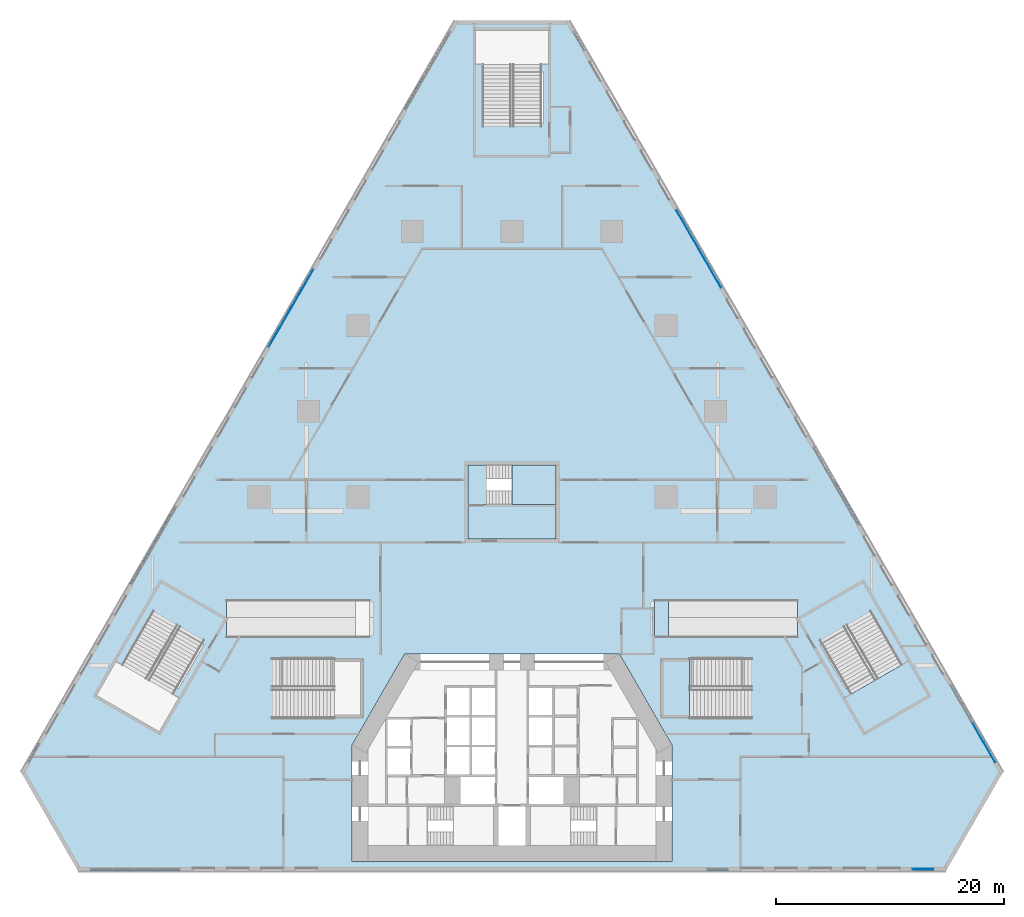
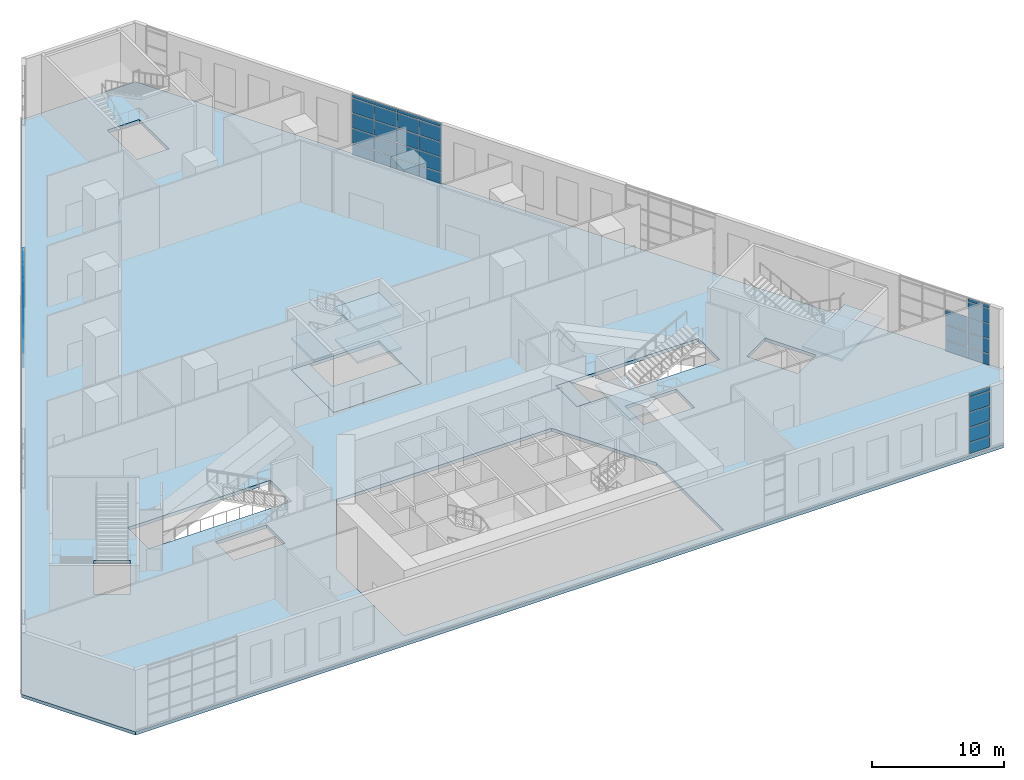
# One storey, part 12 of 27: 54 plates, 7 slabs, 7 elements without a shape of their own.
"""IFC4 building model written with IfcOpenShell, lengths in metres."""

from ifc_helpers import new_model, si_unit, direction, frame, origin, origin_2d, place, context, subcontext, project, spatial, polyline, rectangle, outline, extrude, material, layer, layer_set, type_object, element, aggregate, save


model = new_model("IFC4")

# Units and contexts
model_context = context("Model", 3, precision=1e-05, world=origin(), true_north=direction((0.0, 1.0)))
body_context = subcontext(model_context, "Body", "Model", "MODEL_VIEW")
ifc_project = project(units=[si_unit("LENGTHUNIT", "METRE"), si_unit("AREAUNIT", "SQUARE_METRE"), si_unit("VOLUMEUNIT", "CUBIC_METRE"), si_unit("PLANEANGLEUNIT", "RADIAN"), si_unit("MASSUNIT", "GRAM", prefix="KILO")], contexts=[model_context])

# Site, building, storey
site_placement = place(None, origin())
site = spatial("IfcSite", under=ifc_project, at=site_placement, CompositionType="ELEMENT")
building_placement = place(site_placement, origin())
building = spatial("IfcBuilding", under=site, at=building_placement, Name="Fogline Exchange Tower", CompositionType="ELEMENT")
storey_placement = place(building_placement, frame((0.0, 0.0, 8.0)))
storey = spatial("IfcBuildingStorey", under=building, at=storey_placement, Name="L01", CompositionType="ELEMENT", Elevation=8.0)

# Curtain wall, plates
ifc_material_1 = material(Name="Aluminium and glass", Category="aluminium")
curtain_wall_type = type_object("IfcCurtainWallType", Name="CW3", PredefinedType="NOTDEFINED", material=ifc_material_1)
curtain_wall_1_placement = place(storey_placement, origin())
curtain_wall_1 = element("IfcCurtainWall", 1, at=curtain_wall_1_placement, inside=storey, type_object=curtain_wall_type, Name="CW3 L01 S run 3", PredefinedType="NOTDEFINED")
ifc_material_2 = material(Name="Glass", Category="glass")
ifc_layer_1 = layer(ifc_material_2, 0.028076171875)
ifc_layer_set_1 = layer_set([ifc_layer_1], Name="CW3-P")
plate_type_1 = type_object("IfcPlateType", Name="CW3-P", PredefinedType="CURTAIN_PANEL", material=ifc_layer_set_1)
plate_1_placement = place(storey_placement, frame((36.0, 0.169921875, 0.06005859375), z_axis=(0.0, 0.0, 1.0), x_axis=(1.0, 0.0, 0.0)))
plate_1 = element("IfcPlate", 2, at=plate_1_placement, type_object=plate_type_1, Name="CW3-P01-03 panel 1.1", PredefinedType="CURTAIN_PANEL", context=body_context, shape_type="SweptSolid", body=[
    extrude(rectangle(XDim=1.784912109375, YDim=0.028076171875, at=origin_2d()), origin(), (0.0, 0.0, 1.0), 1.010009765625),
])
plate_2_placement = place(storey_placement, frame((36.0, 0.169921875, 1.1298828125), z_axis=(0.0, 0.0, 1.0), x_axis=(1.0, 0.0, 0.0)))
plate_2 = element("IfcPlate", 3, at=plate_2_placement, type_object=plate_type_1, Name="CW3-P01-03 panel 1.2", PredefinedType="CURTAIN_PANEL", context=body_context, shape_type="SweptSolid", body=[
    extrude(rectangle(XDim=1.784912109375, YDim=0.028076171875, at=origin_2d()), origin(), (0.0, 0.0, 1.0), 1.340087890625),
])
plate_3_placement = place(storey_placement, frame((36.0, 0.169921875, 2.52978515625), z_axis=(0.0, 0.0, 1.0), x_axis=(1.0, 0.0, 0.0)))
plate_3 = element("IfcPlate", 4, at=plate_3_placement, type_object=plate_type_1, Name="CW3-P01-03 panel 1.3", PredefinedType="CURTAIN_PANEL", context=body_context, shape_type="SweptSolid", body=[
    extrude(rectangle(XDim=1.784912109375, YDim=0.028076171875, at=origin_2d()), origin(), (0.0, 0.0, 1.0), 1.340087890625),
])
plate_4_placement = place(storey_placement, frame((36.0, 0.169921875, 3.93017578125), z_axis=(0.0, 0.0, 1.0), x_axis=(1.0, 0.0, 0.0)))
plate_4 = element("IfcPlate", 5, at=plate_4_placement, type_object=plate_type_1, Name="CW3-P01-03 panel 1.4", PredefinedType="CURTAIN_PANEL", context=body_context, shape_type="SweptSolid", body=[
    extrude(rectangle(XDim=1.784912109375, YDim=0.028076171875, at=origin_2d()), origin(), (0.0, 0.0, 1.0), 1.340087890625),
])
plate_5_placement = place(storey_placement, frame((36.0, 0.169921875, 5.330078125), z_axis=(0.0, 0.0, 1.0), x_axis=(1.0, 0.0, 0.0)))
plate_5 = element("IfcPlate", 6, at=plate_5_placement, type_object=plate_type_1, Name="CW3-P01-03 panel 1.5", PredefinedType="CURTAIN_PANEL", context=body_context, shape_type="SweptSolid", body=[
    extrude(rectangle(XDim=1.784912109375, YDim=0.028076171875, at=origin_2d()), origin(), (0.0, 0.0, 1.0), 0.31005859375),
])
aggregate(curtain_wall_1, [plate_1, plate_2, plate_3, plate_4, plate_5])

curtain_wall_2_placement = place(storey_placement, origin())
curtain_wall_2 = element("IfcCurtainWall", 7, at=curtain_wall_2_placement, inside=storey, type_object=curtain_wall_type, Name="CW3 L01 E run 1", PredefinedType="NOTDEFINED")
plate_6_placement = place(storey_placement, frame((41.824951171875, 10.35546875, 0.06005859375), z_axis=(0.0, 0.0, 1.0), x_axis=(-0.500000016959, 0.866025393993, 0.0)))
plate_6 = element("IfcPlate", 8, at=plate_6_placement, type_object=plate_type_1, Name="CW3-P01-04 panel 1.1", PredefinedType="CURTAIN_PANEL", context=body_context, shape_type="SweptSolid", body=[
    extrude(rectangle(XDim=1.896240234375, YDim=0.028076171875, at=origin_2d()), origin(), (0.0, 0.0, 1.0), 1.010009765625),
])
plate_7_placement = place(storey_placement, frame((41.824951171875, 10.35546875, 1.1298828125), z_axis=(0.0, 0.0, 1.0), x_axis=(-0.500000016959, 0.866025393993, 0.0)))
plate_7 = element("IfcPlate", 9, at=plate_7_placement, type_object=plate_type_1, Name="CW3-P01-04 panel 1.2", PredefinedType="CURTAIN_PANEL", context=body_context, shape_type="SweptSolid", body=[
    extrude(rectangle(XDim=1.896240234375, YDim=0.028076171875, at=origin_2d()), origin(), (0.0, 0.0, 1.0), 1.340087890625),
])
plate_8_placement = place(storey_placement, frame((41.824951171875, 10.35546875, 2.52978515625), z_axis=(0.0, 0.0, 1.0), x_axis=(-0.500000016959, 0.866025393993, 0.0)))
plate_8 = element("IfcPlate", 10, at=plate_8_placement, type_object=plate_type_1, Name="CW3-P01-04 panel 1.3", PredefinedType="CURTAIN_PANEL", context=body_context, shape_type="SweptSolid", body=[
    extrude(rectangle(XDim=1.896240234375, YDim=0.028076171875, at=origin_2d()), origin(), (0.0, 0.0, 1.0), 1.340087890625),
])
plate_9_placement = place(storey_placement, frame((41.824951171875, 10.35546875, 3.93017578125), z_axis=(0.0, 0.0, 1.0), x_axis=(-0.500000016959, 0.866025393993, 0.0)))
plate_9 = element("IfcPlate", 11, at=plate_9_placement, type_object=plate_type_1, Name="CW3-P01-04 panel 1.4", PredefinedType="CURTAIN_PANEL", context=body_context, shape_type="SweptSolid", body=[
    extrude(rectangle(XDim=1.896240234375, YDim=0.028076171875, at=origin_2d()), origin(), (0.0, 0.0, 1.0), 1.340087890625),
])
plate_10_placement = place(storey_placement, frame((41.824951171875, 10.35546875, 5.330078125), z_axis=(0.0, 0.0, 1.0), x_axis=(-0.500000016959, 0.866025393993, 0.0)))
plate_10 = element("IfcPlate", 12, at=plate_10_placement, type_object=plate_type_1, Name="CW3-P01-04 panel 1.5", PredefinedType="CURTAIN_PANEL", context=body_context, shape_type="SweptSolid", body=[
    extrude(rectangle(XDim=1.896240234375, YDim=0.028076171875, at=origin_2d()), origin(), (0.0, 0.0, 1.0), 0.31005859375),
])
plate_11_placement = place(storey_placement, frame((40.845703125, 12.0517578125, 0.06005859375), z_axis=(0.0, 0.0, 1.0), x_axis=(-0.500000016959, 0.866025393993, 0.0)))
plate_11 = element("IfcPlate", 13, at=plate_11_placement, type_object=plate_type_1, Name="CW3-P01-04 panel 2.1", PredefinedType="CURTAIN_PANEL", context=body_context, shape_type="SweptSolid", body=[
    extrude(rectangle(XDim=1.921142578125, YDim=0.028076171875, at=origin_2d()), origin(), (0.0, 0.0, 1.0), 1.010009765625),
])
plate_12_placement = place(storey_placement, frame((40.845703125, 12.0517578125, 1.1298828125), z_axis=(0.0, 0.0, 1.0), x_axis=(-0.500000016959, 0.866025393993, 0.0)))
plate_12 = element("IfcPlate", 14, at=plate_12_placement, type_object=plate_type_1, Name="CW3-P01-04 panel 2.2", PredefinedType="CURTAIN_PANEL", context=body_context, shape_type="SweptSolid", body=[
    extrude(rectangle(XDim=1.921142578125, YDim=0.028076171875, at=origin_2d()), origin(), (0.0, 0.0, 1.0), 1.340087890625),
])
plate_13_placement = place(storey_placement, frame((40.845703125, 12.0517578125, 2.52978515625), z_axis=(0.0, 0.0, 1.0), x_axis=(-0.500000016959, 0.866025393993, 0.0)))
plate_13 = element("IfcPlate", 15, at=plate_13_placement, type_object=plate_type_1, Name="CW3-P01-04 panel 2.3", PredefinedType="CURTAIN_PANEL", context=body_context, shape_type="SweptSolid", body=[
    extrude(rectangle(XDim=1.921142578125, YDim=0.028076171875, at=origin_2d()), origin(), (0.0, 0.0, 1.0), 1.340087890625),
])
aggregate(curtain_wall_2, [plate_6, plate_7, plate_8, plate_9, plate_10, plate_11, plate_12, plate_13])

curtain_wall_3_placement = place(storey_placement, origin())
curtain_wall_3 = element("IfcCurtainWall", 16, at=curtain_wall_3_placement, inside=storey, type_object=curtain_wall_type, Name="CW3 L01 E run 3", PredefinedType="NOTDEFINED")
plate_14_placement = place(storey_placement, frame((17.824951171875, 51.9248046875, 0.06005859375), z_axis=(0.0, 0.0, 1.0), x_axis=(-0.500000016959, 0.866025393993, 0.0)))
plate_14 = element("IfcPlate", 17, at=plate_14_placement, type_object=plate_type_1, Name="CW3-P01-06 panel 1.1", PredefinedType="CURTAIN_PANEL", context=body_context, shape_type="SweptSolid", body=[
    extrude(rectangle(XDim=1.896240234375, YDim=0.028076171875, at=origin_2d()), origin(), (0.0, 0.0, 1.0), 1.010009765625),
])
plate_15_placement = place(storey_placement, frame((17.824951171875, 51.9248046875, 1.1298828125), z_axis=(0.0, 0.0, 1.0), x_axis=(-0.500000016959, 0.866025393993, 0.0)))
plate_15 = element("IfcPlate", 18, at=plate_15_placement, type_object=plate_type_1, Name="CW3-P01-06 panel 1.2", PredefinedType="CURTAIN_PANEL", context=body_context, shape_type="SweptSolid", body=[
    extrude(rectangle(XDim=1.896240234375, YDim=0.028076171875, at=origin_2d()), origin(), (0.0, 0.0, 1.0), 1.340087890625),
])
plate_16_placement = place(storey_placement, frame((17.824951171875, 51.9248046875, 2.52978515625), z_axis=(0.0, 0.0, 1.0), x_axis=(-0.500000016959, 0.866025393993, 0.0)))
plate_16 = element("IfcPlate", 19, at=plate_16_placement, type_object=plate_type_1, Name="CW3-P01-06 panel 1.3", PredefinedType="CURTAIN_PANEL", context=body_context, shape_type="SweptSolid", body=[
    extrude(rectangle(XDim=1.896240234375, YDim=0.028076171875, at=origin_2d()), origin(), (0.0, 0.0, 1.0), 1.340087890625),
])
plate_17_placement = place(storey_placement, frame((17.824951171875, 51.9248046875, 3.93017578125), z_axis=(0.0, 0.0, 1.0), x_axis=(-0.500000016959, 0.866025393993, 0.0)))
plate_17 = element("IfcPlate", 20, at=plate_17_placement, type_object=plate_type_1, Name="CW3-P01-06 panel 1.4", PredefinedType="CURTAIN_PANEL", context=body_context, shape_type="SweptSolid", body=[
    extrude(rectangle(XDim=1.896240234375, YDim=0.028076171875, at=origin_2d()), origin(), (0.0, 0.0, 1.0), 1.340087890625),
])
plate_18_placement = place(storey_placement, frame((17.824951171875, 51.9248046875, 5.330078125), z_axis=(0.0, 0.0, 1.0), x_axis=(-0.500000016959, 0.866025393993, 0.0)))
plate_18 = element("IfcPlate", 21, at=plate_18_placement, type_object=plate_type_1, Name="CW3-P01-06 panel 1.5", PredefinedType="CURTAIN_PANEL", context=body_context, shape_type="SweptSolid", body=[
    extrude(rectangle(XDim=1.896240234375, YDim=0.028076171875, at=origin_2d()), origin(), (0.0, 0.0, 1.0), 0.31005859375),
])
plate_19_placement = place(storey_placement, frame((16.845703125, 53.62109375, 0.06005859375), z_axis=(0.0, 0.0, 1.0), x_axis=(-0.500000016959, 0.866025393993, 0.0)))
plate_19 = element("IfcPlate", 22, at=plate_19_placement, type_object=plate_type_1, Name="CW3-P01-06 panel 2.1", PredefinedType="CURTAIN_PANEL", context=body_context, shape_type="SweptSolid", body=[
    extrude(rectangle(XDim=1.921142578125, YDim=0.028076171875, at=origin_2d()), origin(), (0.0, 0.0, 1.0), 1.010009765625),
])
plate_20_placement = place(storey_placement, frame((16.845703125, 53.62109375, 1.1298828125), z_axis=(0.0, 0.0, 1.0), x_axis=(-0.500000016959, 0.866025393993, 0.0)))
plate_20 = element("IfcPlate", 23, at=plate_20_placement, type_object=plate_type_1, Name="CW3-P01-06 panel 2.2", PredefinedType="CURTAIN_PANEL", context=body_context, shape_type="SweptSolid", body=[
    extrude(rectangle(XDim=1.921142578125, YDim=0.028076171875, at=origin_2d()), origin(), (0.0, 0.0, 1.0), 1.340087890625),
])
plate_21_placement = place(storey_placement, frame((16.845703125, 53.62109375, 2.52978515625), z_axis=(0.0, 0.0, 1.0), x_axis=(-0.500000016959, 0.866025393993, 0.0)))
plate_21 = element("IfcPlate", 24, at=plate_21_placement, type_object=plate_type_1, Name="CW3-P01-06 panel 2.3", PredefinedType="CURTAIN_PANEL", context=body_context, shape_type="SweptSolid", body=[
    extrude(rectangle(XDim=1.921142578125, YDim=0.028076171875, at=origin_2d()), origin(), (0.0, 0.0, 1.0), 1.340087890625),
])
plate_22_placement = place(storey_placement, frame((16.845703125, 53.62109375, 3.93017578125), z_axis=(0.0, 0.0, 1.0), x_axis=(-0.500000016959, 0.866025393993, 0.0)))
plate_22 = element("IfcPlate", 25, at=plate_22_placement, type_object=plate_type_1, Name="CW3-P01-06 panel 2.4", PredefinedType="CURTAIN_PANEL", context=body_context, shape_type="SweptSolid", body=[
    extrude(rectangle(XDim=1.921142578125, YDim=0.028076171875, at=origin_2d()), origin(), (0.0, 0.0, 1.0), 1.340087890625),
])
plate_23_placement = place(storey_placement, frame((16.845703125, 53.62109375, 5.330078125), z_axis=(0.0, 0.0, 1.0), x_axis=(-0.500000016959, 0.866025393993, 0.0)))
plate_23 = element("IfcPlate", 26, at=plate_23_placement, type_object=plate_type_1, Name="CW3-P01-06 panel 2.5", PredefinedType="CURTAIN_PANEL", context=body_context, shape_type="SweptSolid", body=[
    extrude(rectangle(XDim=1.921142578125, YDim=0.028076171875, at=origin_2d()), origin(), (0.0, 0.0, 1.0), 0.31005859375),
])
plate_24_placement = place(storey_placement, frame((15.85986328125, 55.328125, 0.06005859375), z_axis=(0.0, 0.0, 1.0), x_axis=(-0.500000016959, 0.866025393993, 0.0)))
plate_24 = element("IfcPlate", 27, at=plate_24_placement, type_object=plate_type_1, Name="CW3-P01-06 panel 3.1", PredefinedType="CURTAIN_PANEL", context=body_context, shape_type="SweptSolid", body=[
    extrude(rectangle(XDim=1.921142578125, YDim=0.028076171875, at=origin_2d()), origin(), (0.0, 0.0, 1.0), 1.010009765625),
])
plate_25_placement = place(storey_placement, frame((15.85986328125, 55.328125, 1.1298828125), z_axis=(0.0, 0.0, 1.0), x_axis=(-0.500000016959, 0.866025393993, 0.0)))
plate_25 = element("IfcPlate", 28, at=plate_25_placement, type_object=plate_type_1, Name="CW3-P01-06 panel 3.2", PredefinedType="CURTAIN_PANEL", context=body_context, shape_type="SweptSolid", body=[
    extrude(rectangle(XDim=1.921142578125, YDim=0.028076171875, at=origin_2d()), origin(), (0.0, 0.0, 1.0), 1.340087890625),
])
plate_26_placement = place(storey_placement, frame((15.85986328125, 55.328125, 2.52978515625), z_axis=(0.0, 0.0, 1.0), x_axis=(-0.500000016959, 0.866025393993, 0.0)))
plate_26 = element("IfcPlate", 29, at=plate_26_placement, type_object=plate_type_1, Name="CW3-P01-06 panel 3.3", PredefinedType="CURTAIN_PANEL", context=body_context, shape_type="SweptSolid", body=[
    extrude(rectangle(XDim=1.921142578125, YDim=0.028076171875, at=origin_2d()), origin(), (0.0, 0.0, 1.0), 1.340087890625),
])
plate_27_placement = place(storey_placement, frame((15.85986328125, 55.328125, 3.93017578125), z_axis=(0.0, 0.0, 1.0), x_axis=(-0.500000016959, 0.866025393993, 0.0)))
plate_27 = element("IfcPlate", 30, at=plate_27_placement, type_object=plate_type_1, Name="CW3-P01-06 panel 3.4", PredefinedType="CURTAIN_PANEL", context=body_context, shape_type="SweptSolid", body=[
    extrude(rectangle(XDim=1.921142578125, YDim=0.028076171875, at=origin_2d()), origin(), (0.0, 0.0, 1.0), 1.340087890625),
])
plate_28_placement = place(storey_placement, frame((15.85986328125, 55.328125, 5.330078125), z_axis=(0.0, 0.0, 1.0), x_axis=(-0.500000016959, 0.866025393993, 0.0)))
plate_28 = element("IfcPlate", 31, at=plate_28_placement, type_object=plate_type_1, Name="CW3-P01-06 panel 3.5", PredefinedType="CURTAIN_PANEL", context=body_context, shape_type="SweptSolid", body=[
    extrude(rectangle(XDim=1.921142578125, YDim=0.028076171875, at=origin_2d()), origin(), (0.0, 0.0, 1.0), 0.31005859375),
])
plate_29_placement = place(storey_placement, frame((14.880615234375, 57.0244140625, 0.06005859375), z_axis=(0.0, 0.0, 1.0), x_axis=(-0.500000016959, 0.866025393993, 0.0)))
plate_29 = element("IfcPlate", 32, at=plate_29_placement, type_object=plate_type_1, Name="CW3-P01-06 panel 4.1", PredefinedType="CURTAIN_PANEL", context=body_context, shape_type="SweptSolid", body=[
    extrude(rectangle(XDim=1.896240234375, YDim=0.028076171875, at=origin_2d()), origin(), (0.0, 0.0, 1.0), 1.010009765625),
])
plate_30_placement = place(storey_placement, frame((14.880615234375, 57.0244140625, 1.1298828125), z_axis=(0.0, 0.0, 1.0), x_axis=(-0.500000016959, 0.866025393993, 0.0)))
plate_30 = element("IfcPlate", 33, at=plate_30_placement, type_object=plate_type_1, Name="CW3-P01-06 panel 4.2", PredefinedType="CURTAIN_PANEL", context=body_context, shape_type="SweptSolid", body=[
    extrude(rectangle(XDim=1.896240234375, YDim=0.028076171875, at=origin_2d()), origin(), (0.0, 0.0, 1.0), 1.340087890625),
])
plate_31_placement = place(storey_placement, frame((14.880615234375, 57.0244140625, 2.52978515625), z_axis=(0.0, 0.0, 1.0), x_axis=(-0.500000016959, 0.866025393993, 0.0)))
plate_31 = element("IfcPlate", 34, at=plate_31_placement, type_object=plate_type_1, Name="CW3-P01-06 panel 4.3", PredefinedType="CURTAIN_PANEL", context=body_context, shape_type="SweptSolid", body=[
    extrude(rectangle(XDim=1.896240234375, YDim=0.028076171875, at=origin_2d()), origin(), (0.0, 0.0, 1.0), 1.340087890625),
])
plate_32_placement = place(storey_placement, frame((14.880615234375, 57.0244140625, 3.93017578125), z_axis=(0.0, 0.0, 1.0), x_axis=(-0.500000016959, 0.866025393993, 0.0)))
plate_32 = element("IfcPlate", 35, at=plate_32_placement, type_object=plate_type_1, Name="CW3-P01-06 panel 4.4", PredefinedType="CURTAIN_PANEL", context=body_context, shape_type="SweptSolid", body=[
    extrude(rectangle(XDim=1.896240234375, YDim=0.028076171875, at=origin_2d()), origin(), (0.0, 0.0, 1.0), 1.340087890625),
])
plate_33_placement = place(storey_placement, frame((14.880615234375, 57.0244140625, 5.330078125), z_axis=(0.0, 0.0, 1.0), x_axis=(-0.500000016959, 0.866025393993, 0.0)))
plate_33 = element("IfcPlate", 36, at=plate_33_placement, type_object=plate_type_1, Name="CW3-P01-06 panel 4.5", PredefinedType="CURTAIN_PANEL", context=body_context, shape_type="SweptSolid", body=[
    extrude(rectangle(XDim=1.896240234375, YDim=0.028076171875, at=origin_2d()), origin(), (0.0, 0.0, 1.0), 0.31005859375),
])
aggregate(curtain_wall_3, [plate_14, plate_15, plate_16, plate_17, plate_18, plate_19, plate_20, plate_21, plate_22, plate_23, plate_24, plate_25, plate_26, plate_27, plate_28, plate_29, plate_30, plate_31, plate_32, plate_33])

curtain_wall_4_placement = place(storey_placement, origin())
curtain_wall_4 = element("IfcCurtainWall", 37, at=curtain_wall_4_placement, inside=storey, type_object=curtain_wall_type, Name="CW3 L01 W run 2", PredefinedType="NOTDEFINED")
plate_34_placement = place(storey_placement, frame((-17.880615234375, 51.828369140625, 0.06005859375), z_axis=(0.0, 0.0, 1.0), x_axis=(-0.500000016959, -0.866025393993, 0.0)))
plate_34 = element("IfcPlate", 38, at=plate_34_placement, type_object=plate_type_1, Name="CW3-P01-09 panel 1.1", PredefinedType="CURTAIN_PANEL", context=body_context, shape_type="SweptSolid", body=[
    extrude(rectangle(XDim=1.896240234375, YDim=0.028076171875, at=origin_2d()), origin(), (0.0, 0.0, 1.0), 1.010009765625),
])
plate_35_placement = place(storey_placement, frame((-17.880615234375, 51.828369140625, 1.1298828125), z_axis=(0.0, 0.0, 1.0), x_axis=(-0.500000016959, -0.866025393993, 0.0)))
plate_35 = element("IfcPlate", 39, at=plate_35_placement, type_object=plate_type_1, Name="CW3-P01-09 panel 1.2", PredefinedType="CURTAIN_PANEL", context=body_context, shape_type="SweptSolid", body=[
    extrude(rectangle(XDim=1.896240234375, YDim=0.028076171875, at=origin_2d()), origin(), (0.0, 0.0, 1.0), 1.340087890625),
])
plate_36_placement = place(storey_placement, frame((-17.880615234375, 51.828369140625, 2.52978515625), z_axis=(0.0, 0.0, 1.0), x_axis=(-0.500000016959, -0.866025393993, 0.0)))
plate_36 = element("IfcPlate", 40, at=plate_36_placement, type_object=plate_type_1, Name="CW3-P01-09 panel 1.3", PredefinedType="CURTAIN_PANEL", context=body_context, shape_type="SweptSolid", body=[
    extrude(rectangle(XDim=1.896240234375, YDim=0.028076171875, at=origin_2d()), origin(), (0.0, 0.0, 1.0), 1.340087890625),
])
plate_37_placement = place(storey_placement, frame((-17.880615234375, 51.828369140625, 3.93017578125), z_axis=(0.0, 0.0, 1.0), x_axis=(-0.500000016959, -0.866025393993, 0.0)))
plate_37 = element("IfcPlate", 41, at=plate_37_placement, type_object=plate_type_1, Name="CW3-P01-09 panel 1.4", PredefinedType="CURTAIN_PANEL", context=body_context, shape_type="SweptSolid", body=[
    extrude(rectangle(XDim=1.896240234375, YDim=0.028076171875, at=origin_2d()), origin(), (0.0, 0.0, 1.0), 1.340087890625),
])
plate_38_placement = place(storey_placement, frame((-17.880615234375, 51.828369140625, 5.330078125), z_axis=(0.0, 0.0, 1.0), x_axis=(-0.500000016959, -0.866025393993, 0.0)))
plate_38 = element("IfcPlate", 42, at=plate_38_placement, type_object=plate_type_1, Name="CW3-P01-09 panel 1.5", PredefinedType="CURTAIN_PANEL", context=body_context, shape_type="SweptSolid", body=[
    extrude(rectangle(XDim=1.896240234375, YDim=0.028076171875, at=origin_2d()), origin(), (0.0, 0.0, 1.0), 0.31005859375),
])
plate_39_placement = place(storey_placement, frame((-18.85986328125, 50.132080078125, 0.06005859375), z_axis=(0.0, 0.0, 1.0), x_axis=(-0.500000016959, -0.866025393993, 0.0)))
plate_39 = element("IfcPlate", 43, at=plate_39_placement, type_object=plate_type_1, Name="CW3-P01-09 panel 2.1", PredefinedType="CURTAIN_PANEL", context=body_context, shape_type="SweptSolid", body=[
    extrude(rectangle(XDim=1.921142578125, YDim=0.028076171875, at=origin_2d()), origin(), (0.0, 0.0, 1.0), 1.010009765625),
])
plate_40_placement = place(storey_placement, frame((-18.85986328125, 50.132080078125, 1.1298828125), z_axis=(0.0, 0.0, 1.0), x_axis=(-0.500000016959, -0.866025393993, 0.0)))
plate_40 = element("IfcPlate", 44, at=plate_40_placement, type_object=plate_type_1, Name="CW3-P01-09 panel 2.2", PredefinedType="CURTAIN_PANEL", context=body_context, shape_type="SweptSolid", body=[
    extrude(rectangle(XDim=1.921142578125, YDim=0.028076171875, at=origin_2d()), origin(), (0.0, 0.0, 1.0), 1.340087890625),
])
plate_41_placement = place(storey_placement, frame((-18.85986328125, 50.132080078125, 2.52978515625), z_axis=(0.0, 0.0, 1.0), x_axis=(-0.500000016959, -0.866025393993, 0.0)))
plate_41 = element("IfcPlate", 45, at=plate_41_placement, type_object=plate_type_1, Name="CW3-P01-09 panel 2.3", PredefinedType="CURTAIN_PANEL", context=body_context, shape_type="SweptSolid", body=[
    extrude(rectangle(XDim=1.921142578125, YDim=0.028076171875, at=origin_2d()), origin(), (0.0, 0.0, 1.0), 1.340087890625),
])
plate_42_placement = place(storey_placement, frame((-18.85986328125, 50.132080078125, 3.93017578125), z_axis=(0.0, 0.0, 1.0), x_axis=(-0.500000016959, -0.866025393993, 0.0)))
plate_42 = element("IfcPlate", 46, at=plate_42_placement, type_object=plate_type_1, Name="CW3-P01-09 panel 2.4", PredefinedType="CURTAIN_PANEL", context=body_context, shape_type="SweptSolid", body=[
    extrude(rectangle(XDim=1.921142578125, YDim=0.028076171875, at=origin_2d()), origin(), (0.0, 0.0, 1.0), 1.340087890625),
])
plate_43_placement = place(storey_placement, frame((-18.85986328125, 50.132080078125, 5.330078125), z_axis=(0.0, 0.0, 1.0), x_axis=(-0.500000016959, -0.866025393993, 0.0)))
plate_43 = element("IfcPlate", 47, at=plate_43_placement, type_object=plate_type_1, Name="CW3-P01-09 panel 2.5", PredefinedType="CURTAIN_PANEL", context=body_context, shape_type="SweptSolid", body=[
    extrude(rectangle(XDim=1.921142578125, YDim=0.028076171875, at=origin_2d()), origin(), (0.0, 0.0, 1.0), 0.31005859375),
])
plate_44_placement = place(storey_placement, frame((-19.845703125, 48.4248046875, 0.06005859375), z_axis=(0.0, 0.0, 1.0), x_axis=(-0.500000016959, -0.866025393993, 0.0)))
plate_44 = element("IfcPlate", 48, at=plate_44_placement, type_object=plate_type_1, Name="CW3-P01-09 panel 3.1", PredefinedType="CURTAIN_PANEL", context=body_context, shape_type="SweptSolid", body=[
    extrude(rectangle(XDim=1.921142578125, YDim=0.028076171875, at=origin_2d()), origin(), (0.0, 0.0, 1.0), 1.010009765625),
])
plate_45_placement = place(storey_placement, frame((-19.845703125, 48.4248046875, 1.1298828125), z_axis=(0.0, 0.0, 1.0), x_axis=(-0.500000016959, -0.866025393993, 0.0)))
plate_45 = element("IfcPlate", 49, at=plate_45_placement, type_object=plate_type_1, Name="CW3-P01-09 panel 3.2", PredefinedType="CURTAIN_PANEL", context=body_context, shape_type="SweptSolid", body=[
    extrude(rectangle(XDim=1.921142578125, YDim=0.028076171875, at=origin_2d()), origin(), (0.0, 0.0, 1.0), 1.340087890625),
])
plate_46_placement = place(storey_placement, frame((-19.845703125, 48.4248046875, 2.52978515625), z_axis=(0.0, 0.0, 1.0), x_axis=(-0.500000016959, -0.866025393993, 0.0)))
plate_46 = element("IfcPlate", 50, at=plate_46_placement, type_object=plate_type_1, Name="CW3-P01-09 panel 3.3", PredefinedType="CURTAIN_PANEL", context=body_context, shape_type="SweptSolid", body=[
    extrude(rectangle(XDim=1.921142578125, YDim=0.028076171875, at=origin_2d()), origin(), (0.0, 0.0, 1.0), 1.340087890625),
])
plate_47_placement = place(storey_placement, frame((-19.845703125, 48.4248046875, 3.93017578125), z_axis=(0.0, 0.0, 1.0), x_axis=(-0.500000016959, -0.866025393993, 0.0)))
plate_47 = element("IfcPlate", 51, at=plate_47_placement, type_object=plate_type_1, Name="CW3-P01-09 panel 3.4", PredefinedType="CURTAIN_PANEL", context=body_context, shape_type="SweptSolid", body=[
    extrude(rectangle(XDim=1.921142578125, YDim=0.028076171875, at=origin_2d()), origin(), (0.0, 0.0, 1.0), 1.340087890625),
])
plate_48_placement = place(storey_placement, frame((-19.845703125, 48.4248046875, 5.330078125), z_axis=(0.0, 0.0, 1.0), x_axis=(-0.500000016959, -0.866025393993, 0.0)))
plate_48 = element("IfcPlate", 52, at=plate_48_placement, type_object=plate_type_1, Name="CW3-P01-09 panel 3.5", PredefinedType="CURTAIN_PANEL", context=body_context, shape_type="SweptSolid", body=[
    extrude(rectangle(XDim=1.921142578125, YDim=0.028076171875, at=origin_2d()), origin(), (0.0, 0.0, 1.0), 0.31005859375),
])
plate_49_placement = place(storey_placement, frame((-20.824951171875, 46.728515625, 0.06005859375), z_axis=(0.0, 0.0, 1.0), x_axis=(-0.500000016959, -0.866025393993, 0.0)))
plate_49 = element("IfcPlate", 53, at=plate_49_placement, type_object=plate_type_1, Name="CW3-P01-09 panel 4.1", PredefinedType="CURTAIN_PANEL", context=body_context, shape_type="SweptSolid", body=[
    extrude(rectangle(XDim=1.896240234375, YDim=0.028076171875, at=origin_2d()), origin(), (0.0, 0.0, 1.0), 1.010009765625),
])
plate_50_placement = place(storey_placement, frame((-20.824951171875, 46.728515625, 1.1298828125), z_axis=(0.0, 0.0, 1.0), x_axis=(-0.500000016959, -0.866025393993, 0.0)))
plate_50 = element("IfcPlate", 54, at=plate_50_placement, type_object=plate_type_1, Name="CW3-P01-09 panel 4.2", PredefinedType="CURTAIN_PANEL", context=body_context, shape_type="SweptSolid", body=[
    extrude(rectangle(XDim=1.896240234375, YDim=0.028076171875, at=origin_2d()), origin(), (0.0, 0.0, 1.0), 1.340087890625),
])
plate_51_placement = place(storey_placement, frame((-20.824951171875, 46.728515625, 2.52978515625), z_axis=(0.0, 0.0, 1.0), x_axis=(-0.500000016959, -0.866025393993, 0.0)))
plate_51 = element("IfcPlate", 55, at=plate_51_placement, type_object=plate_type_1, Name="CW3-P01-09 panel 4.3", PredefinedType="CURTAIN_PANEL", context=body_context, shape_type="SweptSolid", body=[
    extrude(rectangle(XDim=1.896240234375, YDim=0.028076171875, at=origin_2d()), origin(), (0.0, 0.0, 1.0), 1.340087890625),
])
plate_52_placement = place(storey_placement, frame((-20.824951171875, 46.728515625, 3.93017578125), z_axis=(0.0, 0.0, 1.0), x_axis=(-0.500000016959, -0.866025393993, 0.0)))
plate_52 = element("IfcPlate", 56, at=plate_52_placement, type_object=plate_type_1, Name="CW3-P01-09 panel 4.4", PredefinedType="CURTAIN_PANEL", context=body_context, shape_type="SweptSolid", body=[
    extrude(rectangle(XDim=1.896240234375, YDim=0.028076171875, at=origin_2d()), origin(), (0.0, 0.0, 1.0), 1.340087890625),
])
plate_53_placement = place(storey_placement, frame((-20.824951171875, 46.728515625, 5.330078125), z_axis=(0.0, 0.0, 1.0), x_axis=(-0.500000016959, -0.866025393993, 0.0)))
plate_53 = element("IfcPlate", 57, at=plate_53_placement, type_object=plate_type_1, Name="CW3-P01-09 panel 4.5", PredefinedType="CURTAIN_PANEL", context=body_context, shape_type="SweptSolid", body=[
    extrude(rectangle(XDim=1.896240234375, YDim=0.028076171875, at=origin_2d()), origin(), (0.0, 0.0, 1.0), 0.31005859375),
])
aggregate(curtain_wall_4, [plate_34, plate_35, plate_36, plate_37, plate_38, plate_39, plate_40, plate_41, plate_42, plate_43, plate_44, plate_45, plate_46, plate_47, plate_48, plate_49, plate_50, plate_51, plate_52, plate_53])

# Plate
ifc_material_3 = material(Name="Aluminium", Category="aluminium")
ifc_layer_2 = layer(ifc_material_3, 0.050048828125)
ifc_layer_set_2 = layer_set([ifc_layer_2], Name="EP1")
plate_type_2 = type_object("IfcPlateType", Name="EP1", PredefinedType="SHEET", material=ifc_layer_set_2)
plate_54_placement = place(storey_placement, frame((0.0, 0.0, -0.050048828125)))
element("IfcPlate", 58, at=plate_54_placement, inside=storey, type_object=plate_type_2, Name="Escalator landing plate", PredefinedType="SHEET", context=body_context, shape_type="SweptSolid", body=[
    extrude(outline(polyline([(12.5, 20.5), (13.699951171875, 20.5), (13.699951171875, 23.699951171875), (12.5, 23.699951171875), (12.5, 20.5)])), origin(), (0.0, 0.0, 1.0), 0.050048828125),
])

# Stair, slab
ifc_material_4 = material(Name="Concrete C40", Category="concrete")
stair_type_1 = type_object("IfcStairType", Name="PSF0-36-1667", PredefinedType="HALF_TURN_STAIR", material=ifc_material_4)
stair_1_placement = place(storey_placement, origin())
stair_1 = element("IfcStair", 59, at=stair_1_placement, inside=storey, type_object=stair_type_1, Name="Stair ST5", PredefinedType="HALF_TURN_STAIR")
ifc_layer_3 = layer(ifc_material_4, 0.199951171875)
ifc_layer_set_3 = layer_set([ifc_layer_3], Name="PSL1")
slab_type_1 = type_object("IfcSlabType", Name="PSL1", PredefinedType="LANDING", material=ifc_layer_set_3)
slab_1_placement = place(storey_placement, frame((0.0, 0.0, 2.800048828125)))
slab_1 = element("IfcSlab", 60, at=slab_1_placement, type_object=slab_type_1, Name="ST5 landing 1", PredefinedType="LANDING", context=body_context, shape_type="SweptSolid", body=[
    extrude(outline(polyline([(36.444091796875, 15.36572265625), (34.6982421875, 18.389892578125), (29.129638671875, 15.175048828125), (30.87548828125, 12.15087890625), (36.444091796875, 15.36572265625)])), origin(), (0.0, 0.0, 1.0), 0.199951171875),
])
aggregate(stair_1, [slab_1])

stair_2_placement = place(storey_placement, origin())
stair_2 = element("IfcStair", 61, at=stair_2_placement, inside=storey, type_object=stair_type_1, Name="Public stair PS2", PredefinedType="HALF_TURN_STAIR")
slab_2_placement = place(storey_placement, frame((0.0, 0.0, 2.800048828125)))
slab_2 = element("IfcSlab", 62, at=slab_2_placement, type_object=slab_type_1, Name="PS2 landing 1", PredefinedType="LANDING", context=body_context, shape_type="SweptSolid", body=[
    extrude(outline(polyline([(15.56201171875, 13.39990234375), (13.0, 13.39990234375), (13.0, 18.60009765625), (15.56201171875, 18.60009765625), (15.56201171875, 13.39990234375)])), origin(), (0.0, 0.0, 1.0), 0.199951171875),
])
aggregate(stair_2, [slab_2])

# Slabs
ifc_layer_4 = layer(ifc_material_4, 0.300048828125)
ifc_layer_set_4 = layer_set([ifc_layer_4], Name="S04")
slab_type_2 = type_object("IfcSlabType", Name="S04", PredefinedType="FLOOR", material=ifc_layer_set_4)
slab_3_placement = place(storey_placement, frame((0.0, 0.0, -0.300048828125)))
element("IfcSlab", 63, at=slab_3_placement, inside=storey, type_object=slab_type_2, Name="SLAB L01", PredefinedType="FLOOR", context=body_context, shape_type="SweptSolid", body=[
    extrude(outline(polyline([(43.0, 8.660400390625), (5.0, 74.478271484375), (-5.0, 74.478271484375), (-43.0, 8.660400390625), (-38.0, 0.0), (38.0, 0.0), (43.0, 8.660400390625)]), holes=[polyline([(9.41162109375, 19.0), (14.0, 11.052490234375), (14.0, 0.85009765625), (-14.0, 0.85009765625), (-14.0, 11.052490234375), (-9.41162109375, 19.0), (9.41162109375, 19.0)]), polyline([(-15.699951171875, 18.75), (-15.699951171875, 15.949951171875), (-20.177978515625, 15.949951171875), (-20.177978515625, 18.75), (-15.699951171875, 18.75)]), polyline([(15.699951171875, 18.75), (20.177978515625, 18.75), (20.177978515625, 15.949951171875), (15.699951171875, 15.949951171875), (15.699951171875, 18.75)]), polyline([(-26.974365234375, 19.838134765625), (-29.21337890625, 15.960205078125), (-31.63818359375, 17.360107421875), (-29.3994140625, 21.23828125), (-26.974365234375, 19.838134765625)]), polyline([(29.21337890625, 15.960205078125), (26.974365234375, 19.838134765625), (29.3994140625, 21.23828125), (31.63818359375, 17.360107421875), (29.21337890625, 15.960205078125)]), polyline([(-25.0, 20.5), (-25.0, 23.699951171875), (-12.5, 23.699951171875), (-12.5, 20.5), (-25.0, 20.5)]), polyline([(12.5, 20.5), (12.5, 23.699951171875), (25.0, 23.699951171875), (25.0, 20.5), (12.5, 20.5)]), polyline([(2.75, 69.985107421875), (2.75, 65.507080078125), (-0.050048828125, 65.507080078125), (-0.050048828125, 69.985107421875), (2.75, 69.985107421875)]), polyline([(3.85009765625, 35.556884765625), (3.85009765625, 29.056884765625), (-3.85009765625, 29.056884765625), (-3.85009765625, 35.556884765625), (3.85009765625, 35.556884765625)])]), origin(), (0.0, 0.0, 1.0), 0.300048828125),
])
slab_4_placement = place(storey_placement, frame((0.0, 0.0, -0.300048828125)))
element("IfcSlab", 64, at=slab_4_placement, inside=storey, type_object=slab_type_2, Name="Stair enclosure floor slab", PredefinedType="FLOOR", context=body_context, shape_type="SweptSolid", body=[
    extrude(outline(polyline([(3.85009765625, 29.056884765625), (-3.85009765625, 29.056884765625), (-3.85009765625, 35.556884765625), (-2.239990234375, 35.556884765625), (-2.239990234375, 32.10693359375), (3.85009765625, 32.10693359375), (3.85009765625, 29.056884765625)])), origin(), (0.0, 0.0, 1.0), 0.300048828125),
])

# Stair, slabs
stair_type_2 = type_object("IfcStairType", Name="STR36-1667W1200", PredefinedType="HALF_TURN_STAIR", material=ifc_material_4)
stair_3_placement = place(storey_placement, origin())
stair_3 = element("IfcStair", 65, at=stair_3_placement, inside=storey, type_object=stair_type_2, Name="Stair ST3", PredefinedType="HALF_TURN_STAIR")
ifc_layer_5 = layer(ifc_material_4, 0.199951171875)
ifc_layer_set_5 = layer_set([ifc_layer_5], Name="SL200")
slab_type_3 = type_object("IfcSlabType", Name="SL200", PredefinedType="LANDING", material=ifc_layer_set_5)
slab_5_placement = place(storey_placement, frame((0.0, 0.0, 1.300048828125)))
slab_5 = element("IfcSlab", 66, at=slab_5_placement, type_object=slab_type_3, Name="ST3 landing 1", PredefinedType="LANDING", context=body_context, shape_type="SweptSolid", body=[
    extrude(outline(polyline([(-0.010009765625, 32.10693359375), (3.85009765625, 32.10693359375), (3.85009765625, 35.556884765625), (-0.010009765625, 35.556884765625), (-0.010009765625, 32.10693359375)])), origin(), (0.0, 0.0, 1.0), 0.199951171875),
])
slab_6_placement = place(storey_placement, frame((0.0, 0.0, 2.800048828125)))
slab_6 = element("IfcSlab", 67, at=slab_6_placement, type_object=slab_type_3, Name="ST3 landing 2", PredefinedType="LANDING", context=body_context, shape_type="SweptSolid", body=[
    extrude(outline(polyline([(-3.85009765625, 32.10693359375), (-2.25, 32.10693359375), (-2.25, 35.556884765625), (-3.85009765625, 35.556884765625), (-3.85009765625, 32.10693359375)])), origin(), (0.0, 0.0, 1.0), 0.199951171875),
])
slab_7_placement = place(storey_placement, frame((0.0, 0.0, 4.300048828125)))
slab_7 = element("IfcSlab", 68, at=slab_7_placement, type_object=slab_type_3, Name="ST3 landing 3", PredefinedType="LANDING", context=body_context, shape_type="SweptSolid", body=[
    extrude(outline(polyline([(-0.010009765625, 32.10693359375), (3.85009765625, 32.10693359375), (3.85009765625, 35.556884765625), (-0.010009765625, 35.556884765625), (-0.010009765625, 32.10693359375)])), origin(), (0.0, 0.0, 1.0), 0.199951171875),
])
aggregate(stair_3, [slab_5, slab_6, slab_7])

save(model, "model.ifc")
